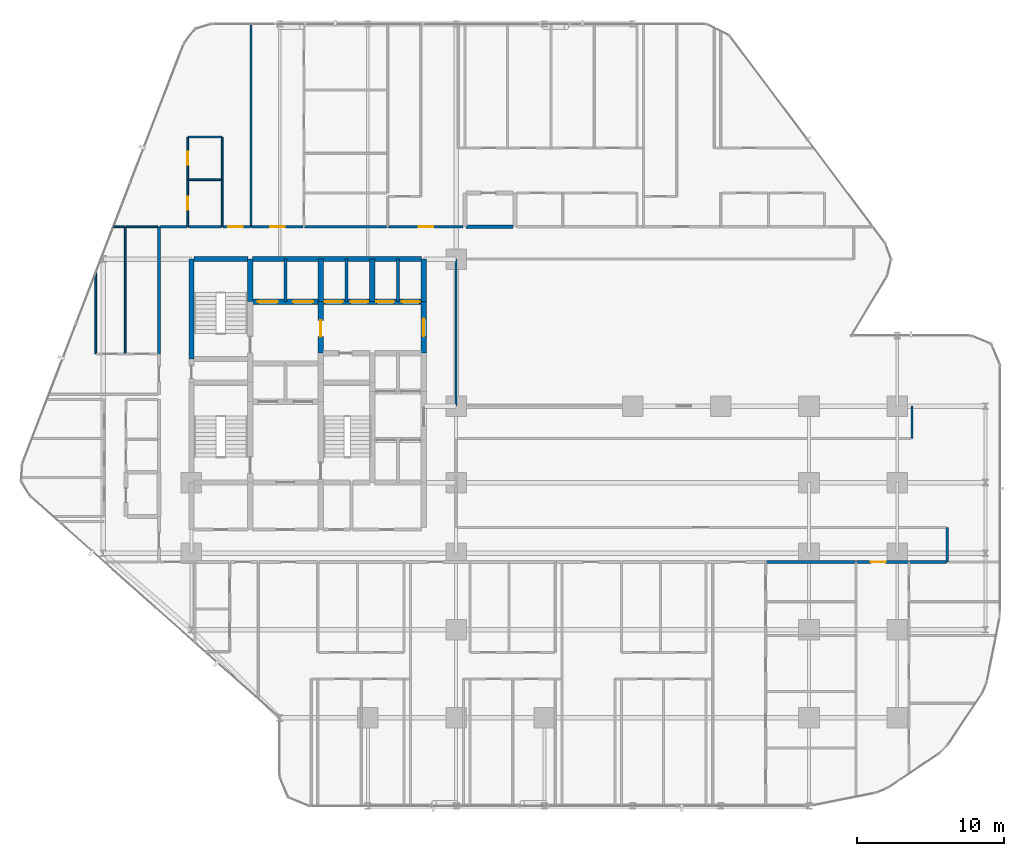
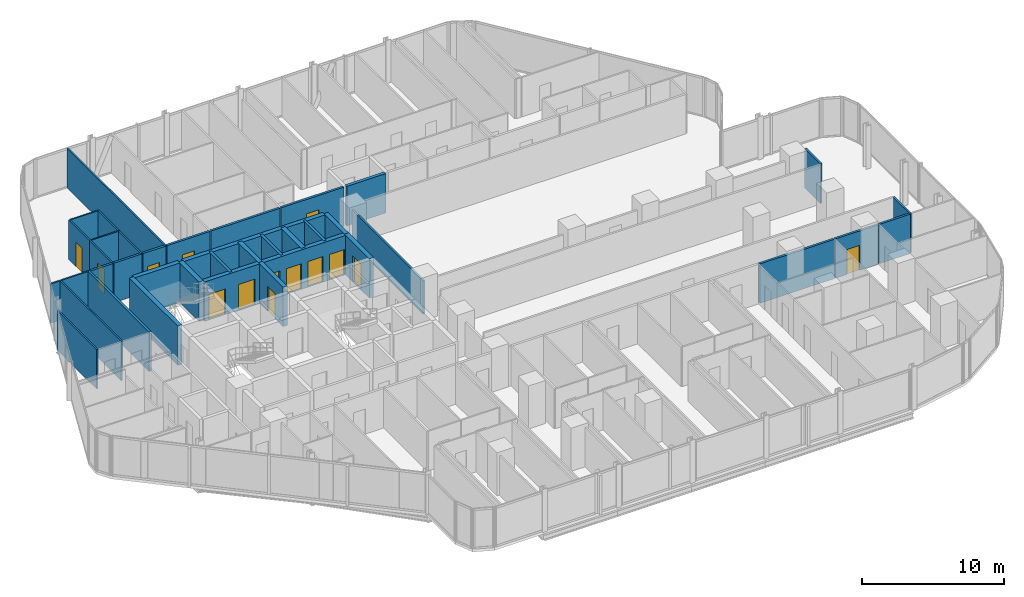
# One storey, part 30 of 34: 38 walls, 14 doors, 14 openings.
"""IFC4 building model written with IfcOpenShell, lengths in metres."""

from ifc_helpers import new_model, si_unit, direction, frame, frame_2d, origin, place, context, subcontext, project, spatial, rectangle, extrude, material, layer, layer_set, type_object, element, fill, save


model = new_model("IFC4")

# Units and contexts
model_context = context("Model", 3, precision=1e-05, world=origin(), true_north=direction((0.0, 1.0)))
body_context = subcontext(model_context, "Body", "Model", "MODEL_VIEW")
ifc_project = project(units=[si_unit("LENGTHUNIT", "METRE"), si_unit("AREAUNIT", "SQUARE_METRE"), si_unit("VOLUMEUNIT", "CUBIC_METRE"), si_unit("PLANEANGLEUNIT", "RADIAN"), si_unit("MASSUNIT", "GRAM", prefix="KILO")], contexts=[model_context])

# Site, building, storey
site_placement = place(None, origin())
site = spatial("IfcSite", under=ifc_project, at=site_placement, CompositionType="ELEMENT")
building_placement = place(site_placement, origin())
building = spatial("IfcBuilding", under=site, at=building_placement, Name="Keshet Zoharim Tower", CompositionType="ELEMENT")
storey_placement = place(building_placement, frame((0.0, 0.0, 31.39990234375)))
storey = spatial("IfcBuildingStorey", under=building, at=storey_placement, Name="L06", CompositionType="ELEMENT", Elevation=31.39990234375)

# Walls
ifc_material_1 = material(Name="Gypsum Plasterboard", Category="gypsum")
ifc_layer_1 = layer(ifc_material_1, 0.14990234375)
ifc_layer_set_1 = layer_set([ifc_layer_1], Name="Gypsum Plasterboard")
wall_type_1 = type_object("IfcWallType", Name="WL-CLIN-150", PredefinedType="STANDARD", material=ifc_layer_set_1)
wall_1_placement = place(storey_placement, frame((33.0, 27.909912109375, 0.0), z_axis=(0.0, 0.0, 1.0), x_axis=(0.0, 1.0, 0.0)))
element("IfcWall", 1, at=wall_1_placement, inside=storey, type_object=wall_type_1, Name="L06 Interior Wall 073", PredefinedType="STANDARD", context=body_context, shape_type="SweptSolid", body=[
    extrude(rectangle(XDim=9.97998046875, YDim=0.14990234375, at=frame_2d((4.989990234375, 0.0))), origin(), (0.0, 0.0, 1.0), 2.885009765625),
])
wall_2_placement = place(storey_placement, frame((64.0, 25.699951171875, 0.0), z_axis=(0.0, 0.0, 1.0), x_axis=(0.0, 1.0, 0.0)))
element("IfcWall", 2, at=wall_2_placement, inside=storey, type_object=wall_type_1, Name="L06 Interior Wall 119", PredefinedType="STANDARD", context=body_context, shape_type="SweptSolid", body=[
    extrude(rectangle(XDim=2.199951171875, YDim=0.14990234375, at=frame_2d((1.10009765625, 0.0))), origin(), (0.0, 0.0, 1.0), 3.385009765625),
])
wall_3_placement = place(storey_placement, frame((66.39990234375, 17.31005859375, 0.0), z_axis=(0.0, 0.0, 1.0), x_axis=(0.0, 1.0, 0.0)))
element("IfcWall", 3, at=wall_3_placement, inside=storey, type_object=wall_type_1, Name="L06 Interior Wall 120", PredefinedType="STANDARD", context=body_context, shape_type="SweptSolid", body=[
    extrude(rectangle(XDim=2.33984375, YDim=0.14990234375, at=frame_2d((1.169921875, 0.0))), origin(), (0.0, 0.0, 1.0), 3.385009765625),
])
ifc_material_2 = material(Name="Concrete C60/75", Category="concrete")
ifc_layer_2 = layer(ifc_material_2, 0.35009765625)
ifc_layer_set_2 = layer_set([ifc_layer_2], Name="Concrete C60/75")
wall_type_2 = type_object("IfcWallType", Name="WL-CORE-350", PredefinedType="SHEAR", material=ifc_layer_set_2)
wall_4_placement = place(storey_placement, frame((15.0, 31.10009765625, 0.0), z_axis=(0.0, 0.0, 1.0), x_axis=(0.0, 1.0, 0.0)))
element("IfcWall", 4, at=wall_4_placement, inside=storey, type_object=wall_type_2, Name="L06 Core Shear Wall 018", PredefinedType="SHEAR", context=body_context, shape_type="SweptSolid", body=[
    extrude(rectangle(XDim=6.7998046875, YDim=0.35009765625, at=frame_2d((3.39990234375, 0.0))), origin(), (0.0, 0.0, 1.0), 3.385009765625),
])
wall_5_placement = place(storey_placement, frame((19.0, 35.0, 0.0), z_axis=(0.0, 0.0, 1.0), x_axis=(0.0, 1.0, 0.0)))
element("IfcWall", 5, at=wall_5_placement, inside=storey, type_object=wall_type_2, Name="L06 Core Shear Wall 029", PredefinedType="SHEAR", context=body_context, shape_type="SweptSolid", body=[
    extrude(rectangle(XDim=2.89990234375, YDim=0.35009765625, at=frame_2d((1.449951171875, 0.0))), origin(), (0.0, 0.0, 1.0), 3.385009765625),
])

# Wall, opening, door
wall_6_placement = place(storey_placement, frame((23.800048828125, 31.5, 0.0), z_axis=(0.0, 0.0, 1.0), x_axis=(0.0, 1.0, 0.0)))
wall_6 = element("IfcWall", 6, at=wall_6_placement, inside=storey, type_object=wall_type_2, Name="L06 Core Shear Wall 045", PredefinedType="SHEAR", context=body_context, shape_type="SweptSolid", body=[
    extrude(rectangle(XDim=3.5, YDim=0.35009765625, at=frame_2d((1.75, 0.0))), origin(), (0.0, 0.0, 1.0), 3.385009765625),
])
opening_1_placement = place(wall_6_placement, frame((1.126953125, 0.0, 0.0)))
opening_1 = element("IfcOpeningElement", 7, at=opening_1_placement, cuts=wall_6, Name="Opening D-F611", PredefinedType="OPENING", context=body_context, shape_type="SweptSolid", body=[
    extrude(rectangle(XDim=1.10009765625, YDim=2.14990234375, at=frame_2d((0.550048828125, 1.074951171875))), frame((0.0, 0.18505859375, 0.0), z_axis=(0.0, -1.0, 0.0), x_axis=(1.0, 0.0, 0.0)), (0.0, 0.0, 1.0), 0.3701171875),
])
ifc_material_3 = material(Name="Hardwood Timber", Category="wood")
door_type_1 = type_object("IfcDoorType", Name="DR-FD60-110", OperationType="NOTDEFINED", PredefinedType="DOOR", material=ifc_material_3)
door_1_placement = place(opening_1_placement, origin())
door_1 = element("IfcDoor", 8, at=door_1_placement, inside=storey, type_object=door_type_1, Name="L06 Firefighting Lobby Fire Door", OperationType="SINGLE_SWING_RIGHT", OverallHeight=2.14990234375, OverallWidth=1.10009765625, PredefinedType="DOOR", context=body_context, shape_type="SweptSolid", body=[
    extrude(rectangle(XDim=1.10009765625, YDim=2.14990234375, at=frame_2d((0.550048828125, 1.074951171875))), frame((0.0, 0.02490234375, 0.0), z_axis=(0.0, -1.0, 0.0), x_axis=(1.0, 0.0, 0.0)), (0.0, 0.0, 1.0), 0.050048828125),
])
fill(opening_1, door_1)

# Walls
for number, where, z_axis, x_axis, name in (
    (9, (23.800048828125, 35.0, 0.0), (0.0, 0.0, 1.0), (0.0, 1.0, 0.0), "L06 Core Shear Wall 046"),
    (10, (27.300048828125, 35.0, 0.0), (0.0, 0.0, 1.0), (0.0, 1.0, 0.0), "L06 Core Shear Wall 055"),
):
    element("IfcWall", number, at=place(storey_placement, frame(where, z_axis=z_axis, x_axis=x_axis)), inside=storey, type_object=wall_type_2, Name=name, PredefinedType="SHEAR", context=body_context, shape_type="SweptSolid", body=[
        extrude(rectangle(XDim=2.89990234375, YDim=0.35009765625, at=frame_2d((1.449951171875, 0.0))), origin(), (0.0, 0.0, 1.0), 3.385009765625),
    ])

# Wall, opening, door
wall_7_placement = place(storey_placement, frame((30.800048828125, 31.5, 0.0), z_axis=(0.0, 0.0, 1.0), x_axis=(0.0, 1.0, 0.0)))
wall_7 = element("IfcWall", 11, at=wall_7_placement, inside=storey, type_object=wall_type_2, Name="L06 Core Shear Wall 070", PredefinedType="SHEAR", context=body_context, shape_type="SweptSolid", body=[
    extrude(rectangle(XDim=3.5, YDim=0.35009765625, at=frame_2d((1.75, 0.0))), origin(), (0.0, 0.0, 1.0), 3.385009765625),
])
opening_2_placement = place(wall_7_placement, frame((1.14990234375, 0.0, 0.0)))
opening_2 = element("IfcOpeningElement", 12, at=opening_2_placement, cuts=wall_7, Name="Opening D-F612", PredefinedType="OPENING", context=body_context, shape_type="SweptSolid", body=[
    extrude(rectangle(XDim=1.199951171875, YDim=2.199951171875, at=frame_2d((0.60009765625, 1.10009765625))), frame((0.0, 0.18505859375, 0.0), z_axis=(0.0, -1.0, 0.0), x_axis=(1.0, 0.0, 0.0)), (0.0, 0.0, 1.0), 0.3701171875),
])
door_type_2 = type_object("IfcDoorType", Name="DR-FD60-120", OperationType="NOTDEFINED", PredefinedType="DOOR", material=ifc_material_3)
door_2_placement = place(opening_2_placement, origin())
door_2 = element("IfcDoor", 13, at=door_2_placement, inside=storey, type_object=door_type_2, Name="L06 North Lift Lobby East Fire Door", OperationType="SINGLE_SWING_RIGHT", OverallHeight=2.199951171875, OverallWidth=1.199951171875, PredefinedType="DOOR", context=body_context, shape_type="SweptSolid", body=[
    extrude(rectangle(XDim=1.199951171875, YDim=2.199951171875, at=frame_2d((0.60009765625, 1.10009765625))), frame((0.0, 0.02490234375, 0.0), z_axis=(0.0, -1.0, 0.0), x_axis=(1.0, 0.0, 0.0)), (0.0, 0.0, 1.0), 0.050048828125),
])
fill(opening_2, door_2)

# Wall
wall_8_placement = place(storey_placement, frame((30.800048828125, 35.0, 0.0), z_axis=(0.0, 0.0, 1.0), x_axis=(0.0, 1.0, 0.0)))
element("IfcWall", 14, at=wall_8_placement, inside=storey, type_object=wall_type_2, Name="L06 Core Shear Wall 071", PredefinedType="SHEAR", context=body_context, shape_type="SweptSolid", body=[
    extrude(rectangle(XDim=2.89990234375, YDim=0.35009765625, at=frame_2d((1.449951171875, 0.0))), origin(), (0.0, 0.0, 1.0), 3.385009765625),
])

# Wall, openings, doors
wall_9_placement = place(storey_placement, frame((19.159912109375, 35.0, 0.0), z_axis=(0.0, 0.0, 1.0), x_axis=(1.0, 0.0, 0.0)))
wall_9 = element("IfcWall", 15, at=wall_9_placement, inside=storey, type_object=wall_type_2, Name="L06 Core Shear Wall 197", PredefinedType="SHEAR", context=body_context, shape_type="SweptSolid", body=[
    extrude(rectangle(XDim=11.47998046875, YDim=0.35009765625, at=frame_2d((5.739990234375, 0.0))), origin(), (0.0, 0.0, 1.0), 3.385009765625),
])
opening_3_placement = place(wall_9_placement, frame((0.364990234375, 0.0, 0.0)))
opening_3 = element("IfcOpeningElement", 16, at=opening_3_placement, cuts=wall_9, Name="Opening LD-02", PredefinedType="OPENING", context=body_context, shape_type="SweptSolid", body=[
    extrude(rectangle(XDim=1.35009765625, YDim=2.199951171875, at=frame_2d((0.675048828125, 1.10009765625))), frame((0.0, 0.18505859375, 0.0), z_axis=(0.0, -1.0, 0.0), x_axis=(1.0, 0.0, 0.0)), (0.0, 0.0, 1.0), 0.3701171875),
])
opening_4_placement = place(wall_9_placement, frame((2.764892578125, 0.0, 0.0)))
opening_4 = element("IfcOpeningElement", 17, at=opening_4_placement, cuts=wall_9, Name="Opening LD-02", PredefinedType="OPENING", context=body_context, shape_type="SweptSolid", body=[
    extrude(rectangle(XDim=1.35009765625, YDim=2.199951171875, at=frame_2d((0.675048828125, 1.10009765625))), frame((0.0, 0.18505859375, 0.0), z_axis=(0.0, -1.0, 0.0), x_axis=(1.0, 0.0, 0.0)), (0.0, 0.0, 1.0), 0.3701171875),
])
opening_5_placement = place(wall_9_placement, frame((4.9150390625, 0.0, 0.0)))
opening_5 = element("IfcOpeningElement", 18, at=opening_5_placement, cuts=wall_9, Name="Opening LD-03", PredefinedType="OPENING", context=body_context, shape_type="SweptSolid", body=[
    extrude(rectangle(XDim=1.199951171875, YDim=2.199951171875, at=frame_2d((0.60009765625, 1.10009765625))), frame((0.0, 0.18505859375, 0.0), z_axis=(0.0, -1.0, 0.0), x_axis=(1.0, 0.0, 0.0)), (0.0, 0.0, 1.0), 0.3701171875),
])
opening_6_placement = place(wall_9_placement, frame((6.6650390625, 0.0, 0.0)))
opening_6 = element("IfcOpeningElement", 19, at=opening_6_placement, cuts=wall_9, Name="Opening LD-03", PredefinedType="OPENING", context=body_context, shape_type="SweptSolid", body=[
    extrude(rectangle(XDim=1.199951171875, YDim=2.199951171875, at=frame_2d((0.60009765625, 1.10009765625))), frame((0.0, 0.18505859375, 0.0), z_axis=(0.0, -1.0, 0.0), x_axis=(1.0, 0.0, 0.0)), (0.0, 0.0, 1.0), 0.3701171875),
])
opening_7_placement = place(wall_9_placement, frame((8.4150390625, 0.0, 0.0)))
opening_7 = element("IfcOpeningElement", 20, at=opening_7_placement, cuts=wall_9, Name="Opening LD-03", PredefinedType="OPENING", context=body_context, shape_type="SweptSolid", body=[
    extrude(rectangle(XDim=1.199951171875, YDim=2.199951171875, at=frame_2d((0.60009765625, 1.10009765625))), frame((0.0, 0.18505859375, 0.0), z_axis=(0.0, -1.0, 0.0), x_axis=(1.0, 0.0, 0.0)), (0.0, 0.0, 1.0), 0.3701171875),
])
opening_8_placement = place(wall_9_placement, frame((10.159912109375, 0.0, 0.0)))
opening_8 = element("IfcOpeningElement", 21, at=opening_8_placement, cuts=wall_9, Name="Opening LD-03", PredefinedType="OPENING", context=body_context, shape_type="SweptSolid", body=[
    extrude(rectangle(XDim=1.199951171875, YDim=2.199951171875, at=frame_2d((0.60009765625, 1.10009765625))), frame((0.0, 0.18505859375, 0.0), z_axis=(0.0, -1.0, 0.0), x_axis=(1.0, 0.0, 0.0)), (0.0, 0.0, 1.0), 0.3701171875),
])
ifc_material_4 = material(Name="Steel S355", Category="steel")
door_type_3 = type_object("IfcDoorType", Name="DR-LD02-135", OperationType="DOUBLE_DOOR_SLIDING", PredefinedType="DOOR", material=ifc_material_4)
door_3_placement = place(opening_3_placement, origin())
door_3 = element("IfcDoor", 22, at=door_3_placement, inside=storey, type_object=door_type_3, Name="L06 Firefighting Lift Landing Door FF-01", OperationType="DOUBLE_DOOR_SLIDING", OverallHeight=2.199951171875, OverallWidth=1.35009765625, PredefinedType="DOOR", context=body_context, shape_type="SweptSolid", body=[
    extrude(rectangle(XDim=1.35009765625, YDim=2.199951171875, at=frame_2d((0.675048828125, 1.10009765625))), frame((0.0, 0.02490234375, 0.0), z_axis=(0.0, -1.0, 0.0), x_axis=(1.0, 0.0, 0.0)), (0.0, 0.0, 1.0), 0.050048828125),
])
fill(opening_3, door_3)
door_4_placement = place(opening_4_placement, origin())
door_4 = element("IfcDoor", 23, at=door_4_placement, inside=storey, type_object=door_type_3, Name="L06 Firefighting Lift Landing Door FF-02", OperationType="DOUBLE_DOOR_SLIDING", OverallHeight=2.199951171875, OverallWidth=1.35009765625, PredefinedType="DOOR", context=body_context, shape_type="SweptSolid", body=[
    extrude(rectangle(XDim=1.35009765625, YDim=2.199951171875, at=frame_2d((0.675048828125, 1.10009765625))), frame((0.0, 0.02490234375, 0.0), z_axis=(0.0, -1.0, 0.0), x_axis=(1.0, 0.0, 0.0)), (0.0, 0.0, 1.0), 0.050048828125),
])
fill(opening_4, door_4)
door_type_4 = type_object("IfcDoorType", Name="DR-LD03-120", OperationType="DOUBLE_DOOR_SLIDING", PredefinedType="DOOR", material=ifc_material_4)
door_5_placement = place(opening_5_placement, origin())
door_5 = element("IfcDoor", 24, at=door_5_placement, inside=storey, type_object=door_type_4, Name="L06 Passenger Lift Landing Door LF-01", OperationType="DOUBLE_DOOR_SLIDING", OverallHeight=2.199951171875, OverallWidth=1.199951171875, PredefinedType="DOOR", context=body_context, shape_type="SweptSolid", body=[
    extrude(rectangle(XDim=1.199951171875, YDim=2.199951171875, at=frame_2d((0.60009765625, 1.10009765625))), frame((0.0, 0.02490234375, 0.0), z_axis=(0.0, -1.0, 0.0), x_axis=(1.0, 0.0, 0.0)), (0.0, 0.0, 1.0), 0.050048828125),
])
fill(opening_5, door_5)
door_6_placement = place(opening_6_placement, origin())
door_6 = element("IfcDoor", 25, at=door_6_placement, inside=storey, type_object=door_type_4, Name="L06 Passenger Lift Landing Door LF-02", OperationType="DOUBLE_DOOR_SLIDING", OverallHeight=2.199951171875, OverallWidth=1.199951171875, PredefinedType="DOOR", context=body_context, shape_type="SweptSolid", body=[
    extrude(rectangle(XDim=1.199951171875, YDim=2.199951171875, at=frame_2d((0.60009765625, 1.10009765625))), frame((0.0, 0.02490234375, 0.0), z_axis=(0.0, -1.0, 0.0), x_axis=(1.0, 0.0, 0.0)), (0.0, 0.0, 1.0), 0.050048828125),
])
fill(opening_6, door_6)
door_7_placement = place(opening_7_placement, origin())
door_7 = element("IfcDoor", 26, at=door_7_placement, inside=storey, type_object=door_type_4, Name="L06 Passenger Lift Landing Door LF-03", OperationType="DOUBLE_DOOR_SLIDING", OverallHeight=2.199951171875, OverallWidth=1.199951171875, PredefinedType="DOOR", context=body_context, shape_type="SweptSolid", body=[
    extrude(rectangle(XDim=1.199951171875, YDim=2.199951171875, at=frame_2d((0.60009765625, 1.10009765625))), frame((0.0, 0.02490234375, 0.0), z_axis=(0.0, -1.0, 0.0), x_axis=(1.0, 0.0, 0.0)), (0.0, 0.0, 1.0), 0.050048828125),
])
fill(opening_7, door_7)
door_8_placement = place(opening_8_placement, origin())
door_8 = element("IfcDoor", 27, at=door_8_placement, inside=storey, type_object=door_type_4, Name="L06 Passenger Lift Landing Door LF-04", OperationType="DOUBLE_DOOR_SLIDING", OverallHeight=2.199951171875, OverallWidth=1.199951171875, PredefinedType="DOOR", context=body_context, shape_type="SweptSolid", body=[
    extrude(rectangle(XDim=1.199951171875, YDim=2.199951171875, at=frame_2d((0.60009765625, 1.10009765625))), frame((0.0, 0.02490234375, 0.0), z_axis=(0.0, -1.0, 0.0), x_axis=(1.0, 0.0, 0.0)), (0.0, 0.0, 1.0), 0.050048828125),
])
fill(opening_8, door_8)

# Walls
wall_10_placement = place(storey_placement, frame((15.159912109375, 37.89990234375, 0.0), z_axis=(0.0, 0.0, 1.0), x_axis=(1.0, 0.0, 0.0)))
element("IfcWall", 28, at=wall_10_placement, inside=storey, type_object=wall_type_2, Name="L06 Core Shear Wall 198", PredefinedType="SHEAR", context=body_context, shape_type="SweptSolid", body=[
    extrude(rectangle(XDim=3.68017578125, YDim=0.35009765625, at=frame_2d((1.840087890625, 0.0))), origin(), (0.0, 0.0, 1.0), 3.385009765625),
])
wall_11_placement = place(storey_placement, frame((19.159912109375, 37.89990234375, 0.0), z_axis=(0.0, 0.0, 1.0), x_axis=(1.0, 0.0, 0.0)))
element("IfcWall", 29, at=wall_11_placement, inside=storey, type_object=wall_type_2, Name="L06 Core Shear Wall 199", PredefinedType="SHEAR", context=body_context, shape_type="SweptSolid", body=[
    extrude(rectangle(XDim=11.47998046875, YDim=0.35009765625, at=frame_2d((5.739990234375, 0.0))), origin(), (0.0, 0.0, 1.0), 3.385009765625),
])
ifc_layer_3 = layer(ifc_material_1, 0.179931640625)
ifc_layer_set_3 = layer_set([ifc_layer_3], Name="Gypsum Plasterboard")
wall_type_3 = type_object("IfcWallType", Name="WL-CORR-180", PredefinedType="STANDARD", material=ifc_layer_set_3)
wall_12_placement = place(storey_placement, frame((12.800048828125, 31.449951171875, 0.0), z_axis=(0.0, 0.0, 1.0), x_axis=(0.0, 1.0, 0.0)))
element("IfcWall", 30, at=wall_12_placement, inside=storey, type_object=wall_type_3, Name="L06 Interior Wall 012", PredefinedType="STANDARD", context=body_context, shape_type="SweptSolid", body=[
    extrude(rectangle(XDim=8.650146484375, YDim=0.179931640625, at=frame_2d((4.3251953125, 0.0))), origin(), (0.0, 0.0, 1.0), 3.385009765625),
])
wall_13_placement = place(storey_placement, frame((54.114990234375, 17.300048828125, 0.0), z_axis=(0.0, 0.0, 1.0), x_axis=(1.0, 0.0, 0.0)))
element("IfcWall", 31, at=wall_13_placement, inside=storey, type_object=wall_type_3, Name="L06 Interior Wall 159", PredefinedType="STANDARD", context=body_context, shape_type="SweptSolid", body=[
    extrude(rectangle(XDim=6.0400390625, YDim=0.179931640625, at=frame_2d((3.02001953125, 0.0))), origin(), (0.0, 0.0, 1.0), 3.385009765625),
])

# Wall, opening, door
wall_14_placement = place(storey_placement, frame((60.2451171875, 17.300048828125, 0.0), z_axis=(0.0, 0.0, 1.0), x_axis=(1.0, 0.0, 0.0)))
wall_14 = element("IfcWall", 32, at=wall_14_placement, inside=storey, type_object=wall_type_3, Name="L06 Interior Wall 160", PredefinedType="STANDARD", context=body_context, shape_type="SweptSolid", body=[
    extrude(rectangle(XDim=3.509765625, YDim=0.179931640625, at=frame_2d((1.7548828125, 0.0))), origin(), (0.0, 0.0, 1.0), 3.385009765625),
])
opening_9_placement = place(wall_14_placement, frame((0.9580078125, 0.0, 0.0)))
opening_9 = element("IfcOpeningElement", 33, at=opening_9_placement, cuts=wall_14, Name="Opening D-F310", PredefinedType="OPENING", context=body_context, shape_type="SweptSolid", body=[
    extrude(rectangle(XDim=1.0, YDim=2.14990234375, at=frame_2d((0.5, 1.074951171875))), frame((0.0, 0.10009765625, 0.0), z_axis=(0.0, -1.0, 0.0), x_axis=(1.0, 0.0, 0.0)), (0.0, 0.0, 1.0), 0.199951171875),
])
door_type_5 = type_object("IfcDoorType", Name="DR-FD30-100", OperationType="NOTDEFINED", PredefinedType="DOOR", material=ifc_material_3)
door_9_placement = place(opening_9_placement, origin())
door_9 = element("IfcDoor", 34, at=door_9_placement, inside=storey, type_object=door_type_5, Name="Apartment 0606 Entrance Door", OperationType="SINGLE_SWING_RIGHT", OverallHeight=2.14990234375, OverallWidth=1.0, PredefinedType="DOOR", context=body_context, shape_type="SweptSolid", body=[
    extrude(rectangle(XDim=1.0, YDim=2.14990234375, at=frame_2d((0.5, 1.074951171875))), frame((0.0, 0.02490234375, 0.0), z_axis=(0.0, -1.0, 0.0), x_axis=(1.0, 0.0, 0.0)), (0.0, 0.0, 1.0), 0.050048828125),
])
fill(opening_9, door_9)

# Walls
wall_15_placement = place(storey_placement, frame((63.844970703125, 17.300048828125, 0.0), z_axis=(0.0, 0.0, 1.0), x_axis=(1.0, 0.0, 0.0)))
element("IfcWall", 35, at=wall_15_placement, inside=storey, type_object=wall_type_3, Name="L06 Interior Wall 161", PredefinedType="STANDARD", context=body_context, shape_type="SweptSolid", body=[
    extrude(rectangle(XDim=2.4951171875, YDim=0.179931640625, at=frame_2d((1.24755859375, 0.0))), origin(), (0.0, 0.0, 1.0), 3.385009765625),
])
wall_16_placement = place(storey_placement, frame((12.875, 40.10009765625, 0.0), z_axis=(0.0, 0.0, 1.0), x_axis=(1.0, 0.0, 0.0)))
element("IfcWall", 36, at=wall_16_placement, inside=storey, type_object=wall_type_3, Name="L06 Interior Wall 203", PredefinedType="STANDARD", context=body_context, shape_type="SweptSolid", body=[
    extrude(rectangle(XDim=1.830078125, YDim=0.179931640625, at=frame_2d((0.9150390625, 0.0))), origin(), (0.0, 0.0, 1.0), 3.385009765625),
])
wall_17_placement = place(storey_placement, frame((14.794921875, 40.10009765625, 0.0), z_axis=(0.0, 0.0, 1.0), x_axis=(1.0, 0.0, 0.0)))
element("IfcWall", 37, at=wall_17_placement, inside=storey, type_object=wall_type_3, Name="L06 Interior Wall 204", PredefinedType="STANDARD", context=body_context, shape_type="SweptSolid", body=[
    extrude(rectangle(XDim=2.260009765625, YDim=0.179931640625, at=frame_2d((1.1298828125, 0.0))), origin(), (0.0, 0.0, 1.0), 3.385009765625),
])

# Wall, opening, door
wall_18_placement = place(storey_placement, frame((17.14501953125, 40.10009765625, 0.0), z_axis=(0.0, 0.0, 1.0), x_axis=(1.0, 0.0, 0.0)))
wall_18 = element("IfcWall", 38, at=wall_18_placement, inside=storey, type_object=wall_type_3, Name="L06 Interior Wall 205", PredefinedType="STANDARD", context=body_context, shape_type="SweptSolid", body=[
    extrude(rectangle(XDim=1.85986328125, YDim=0.179931640625, at=frame_2d((0.929931640625, 0.0))), origin(), (0.0, 0.0, 1.0), 3.385009765625),
])
opening_10_placement = place(wall_18_placement, frame((0.35693359375, 0.0, 0.0)))
opening_10 = element("IfcOpeningElement", 39, at=opening_10_placement, cuts=wall_18, Name="Opening D-F310", PredefinedType="OPENING", context=body_context, shape_type="SweptSolid", body=[
    extrude(rectangle(XDim=1.0, YDim=2.14990234375, at=frame_2d((0.5, 1.074951171875))), frame((0.0, 0.10009765625, 0.0), z_axis=(0.0, -1.0, 0.0), x_axis=(1.0, 0.0, 0.0)), (0.0, 0.0, 1.0), 0.199951171875),
])
door_10_placement = place(opening_10_placement, origin())
door_10 = element("IfcDoor", 40, at=door_10_placement, inside=storey, type_object=door_type_5, Name="Apartment 0607 Entrance Door", OperationType="SINGLE_SWING_LEFT", OverallHeight=2.14990234375, OverallWidth=1.0, PredefinedType="DOOR", context=body_context, shape_type="SweptSolid", body=[
    extrude(rectangle(XDim=1.0, YDim=2.14990234375, at=frame_2d((0.5, 1.074951171875))), frame((0.0, 0.02490234375, 0.0), z_axis=(0.0, -1.0, 0.0), x_axis=(1.0, 0.0, 0.0)), (0.0, 0.0, 1.0), 0.050048828125),
])
fill(opening_10, door_10)

wall_19_placement = place(storey_placement, frame((19.094970703125, 40.10009765625, 0.0), z_axis=(0.0, 0.0, 1.0), x_axis=(1.0, 0.0, 0.0)))
wall_19 = element("IfcWall", 41, at=wall_19_placement, inside=storey, type_object=wall_type_3, Name="L06 Interior Wall 206", PredefinedType="STANDARD", context=body_context, shape_type="SweptSolid", body=[
    extrude(rectangle(XDim=3.510009765625, YDim=0.179931640625, at=frame_2d((1.7548828125, 0.0))), origin(), (0.0, 0.0, 1.0), 3.385009765625),
])
opening_11_placement = place(wall_19_placement, frame((1.2548828125, 0.0, 0.0)))
opening_11 = element("IfcOpeningElement", 42, at=opening_11_placement, cuts=wall_19, Name="Opening D-F310", PredefinedType="OPENING", context=body_context, shape_type="SweptSolid", body=[
    extrude(rectangle(XDim=1.0, YDim=2.14990234375, at=frame_2d((0.5, 1.074951171875))), frame((0.0, 0.10009765625, 0.0), z_axis=(0.0, -1.0, 0.0), x_axis=(1.0, 0.0, 0.0)), (0.0, 0.0, 1.0), 0.199951171875),
])
door_11_placement = place(opening_11_placement, origin())
door_11 = element("IfcDoor", 43, at=door_11_placement, inside=storey, type_object=door_type_5, Name="Apartment 0608 Entrance Door", OperationType="SINGLE_SWING_RIGHT", OverallHeight=2.14990234375, OverallWidth=1.0, PredefinedType="DOOR", context=body_context, shape_type="SweptSolid", body=[
    extrude(rectangle(XDim=1.0, YDim=2.14990234375, at=frame_2d((0.5, 1.074951171875))), frame((0.0, 0.02490234375, 0.0), z_axis=(0.0, -1.0, 0.0), x_axis=(1.0, 0.0, 0.0)), (0.0, 0.0, 1.0), 0.050048828125),
])
fill(opening_11, door_11)

# Wall
wall_20_placement = place(storey_placement, frame((22.695068359375, 40.10009765625, 0.0), z_axis=(0.0, 0.0, 1.0), x_axis=(1.0, 0.0, 0.0)))
element("IfcWall", 44, at=wall_20_placement, inside=storey, type_object=wall_type_3, Name="L06 Interior Wall 207", PredefinedType="STANDARD", context=body_context, shape_type="SweptSolid", body=[
    extrude(rectangle(XDim=5.58984375, YDim=0.179931640625, at=frame_2d((2.794921875, 0.0))), origin(), (0.0, 0.0, 1.0), 3.385009765625),
])

# Wall, opening, door
wall_21_placement = place(storey_placement, frame((28.375, 40.10009765625, 0.0), z_axis=(0.0, 0.0, 1.0), x_axis=(1.0, 0.0, 0.0)))
wall_21 = element("IfcWall", 45, at=wall_21_placement, inside=storey, type_object=wall_type_3, Name="L06 Interior Wall 208", PredefinedType="STANDARD", context=body_context, shape_type="SweptSolid", body=[
    extrude(rectangle(XDim=5.094970703125, YDim=0.179931640625, at=frame_2d((2.54736328125, 0.0))), origin(), (0.0, 0.0, 1.0), 3.385009765625),
])
opening_12_placement = place(wall_21_placement, frame((2.080078125, 0.0, 0.0)))
opening_12 = element("IfcOpeningElement", 46, at=opening_12_placement, cuts=wall_21, Name="Opening D-F310", PredefinedType="OPENING", context=body_context, shape_type="SweptSolid", body=[
    extrude(rectangle(XDim=1.0, YDim=2.14990234375, at=frame_2d((0.5, 1.074951171875))), frame((0.0, 0.10009765625, 0.0), z_axis=(0.0, -1.0, 0.0), x_axis=(1.0, 0.0, 0.0)), (0.0, 0.0, 1.0), 0.199951171875),
])
door_12_placement = place(opening_12_placement, origin())
door_12 = element("IfcDoor", 47, at=door_12_placement, inside=storey, type_object=door_type_5, Name="Apartment 0609 Entrance Door", OperationType="SINGLE_SWING_LEFT", OverallHeight=2.14990234375, OverallWidth=1.0, PredefinedType="DOOR", context=body_context, shape_type="SweptSolid", body=[
    extrude(rectangle(XDim=1.0, YDim=2.14990234375, at=frame_2d((0.5, 1.074951171875))), frame((0.0, 0.02490234375, 0.0), z_axis=(0.0, -1.0, 0.0), x_axis=(1.0, 0.0, 0.0)), (0.0, 0.0, 1.0), 0.050048828125),
])
fill(opening_12, door_12)

# Walls
ifc_material_5 = material(Name="Concrete C50/60", Category="concrete")
ifc_layer_4 = layer(ifc_material_5, 0.199951171875)
ifc_layer_set_4 = layer_set([ifc_layer_4], Name="Concrete C50/60")
wall_type_4 = type_object("IfcWallType", Name="WL-FIRE-200", PredefinedType="STANDARD", material=ifc_layer_set_4)
for number, where, z_axis, x_axis, name in (
    (48, (21.39990234375, 35.0, 0.0), (0.0, 0.0, 1.0), (0.0, 1.0, 0.0), "L06 Interior Wall 033"),
    (49, (25.550048828125, 35.0, 0.0), (0.0, 0.0, 1.0), (0.0, 1.0, 0.0), "L06 Interior Wall 047"),
    (50, (29.050048828125, 35.0, 0.0), (0.0, 0.0, 1.0), (0.0, 1.0, 0.0), "L06 Interior Wall 061"),
):
    element("IfcWall", number, at=place(storey_placement, frame(where, z_axis=z_axis, x_axis=x_axis)), inside=storey, type_object=wall_type_4, Name=name, PredefinedType="STANDARD", context=body_context, shape_type="SweptSolid", body=[
        extrude(rectangle(XDim=2.89990234375, YDim=0.199951171875, at=frame_2d((1.449951171875, 0.0))), origin(), (0.0, 0.0, 1.0), 3.385009765625),
    ])
ifc_layer_5 = layer(ifc_material_5, 0.25)
ifc_layer_set_5 = layer_set([ifc_layer_5], Name="Concrete C50/60")
wall_type_5 = type_object("IfcWallType", Name="WL-MAMAD-250", PredefinedType="STANDARD", material=ifc_layer_set_5)
wall_22_placement = place(storey_placement, frame((33.68994140625, 40.10009765625, 0.0), z_axis=(0.0, 0.0, 1.0), x_axis=(1.0, 0.0, 0.0)))
element("IfcWall", 51, at=wall_22_placement, inside=storey, type_object=wall_type_5, Name="L06 Interior Wall 209", PredefinedType="STANDARD", context=body_context, shape_type="SweptSolid", body=[
    extrude(rectangle(XDim=3.18212890625, YDim=0.25, at=frame_2d((1.591064453125, 0.0))), origin(), (0.0, 0.0, 1.0), 3.385009765625),
])
ifc_layer_6 = layer(ifc_material_1, 0.1201171875)
ifc_layer_set_6 = layer_set([ifc_layer_6], Name="Gypsum Plasterboard")
wall_type_6 = type_object("IfcWallType", Name="WL-PART-120", PredefinedType="PARTITIONING", material=ifc_layer_set_6)
wall_23_placement = place(storey_placement, frame((8.5, 31.449951171875, 0.0), z_axis=(0.0, 0.0, 1.0), x_axis=(0.0, 1.0, 0.0)))
element("IfcWall", 52, at=wall_23_placement, inside=storey, type_object=wall_type_6, Name="L06 Interior Wall 001", PredefinedType="PARTITIONING", context=body_context, shape_type="SweptSolid", body=[
    extrude(rectangle(XDim=5.5400390625, YDim=0.1201171875, at=frame_2d((2.77001953125, 0.0))), origin(), (0.0, 0.0, 1.0), 3.385009765625),
])

# Wall, opening, door
wall_24_placement = place(storey_placement, frame((14.75, 40.10009765625, 0.0), z_axis=(0.0, 0.0, 1.0), x_axis=(0.0, 1.0, 0.0)))
wall_24 = element("IfcWall", 53, at=wall_24_placement, inside=storey, type_object=wall_type_6, Name="L06 Interior Wall 013", PredefinedType="PARTITIONING", context=body_context, shape_type="SweptSolid", body=[
    extrude(rectangle(XDim=3.199951171875, YDim=0.1201171875, at=frame_2d((1.60009765625, 0.0))), origin(), (0.0, 0.0, 1.0), 3.385009765625),
])
opening_13_placement = place(wall_24_placement, frame((1.14990234375, 0.0, 0.0)))
opening_13 = element("IfcOpeningElement", 54, at=opening_13_placement, cuts=wall_24, Name="Opening D-IN90", PredefinedType="OPENING", context=body_context, shape_type="SweptSolid", body=[
    extrude(rectangle(XDim=0.89990234375, YDim=2.14990234375, at=frame_2d((0.449951171875, 1.074951171875))), frame((0.0, 0.070068359375, 0.0), z_axis=(0.0, -1.0, 0.0), x_axis=(1.0, 0.0, 0.0)), (0.0, 0.0, 1.0), 0.14013671875),
])
door_type_6 = type_object("IfcDoorType", Name="DR-INT-090", OperationType="NOTDEFINED", PredefinedType="DOOR", material=ifc_material_3)
door_13_placement = place(opening_13_placement, origin())
door_13 = element("IfcDoor", 55, at=door_13_placement, inside=storey, type_object=door_type_6, Name="Apartment 0607 Kitchenette Door", OperationType="SINGLE_SWING_RIGHT", OverallHeight=2.14990234375, OverallWidth=0.89990234375, PredefinedType="DOOR", context=body_context, shape_type="SweptSolid", body=[
    extrude(rectangle(XDim=0.89990234375, YDim=2.14990234375, at=frame_2d((0.449951171875, 1.074951171875))), frame((0.0, 0.02490234375, 0.0), z_axis=(0.0, -1.0, 0.0), x_axis=(1.0, 0.0, 0.0)), (0.0, 0.0, 1.0), 0.050048828125),
])
fill(opening_13, door_13)

# Walls
wall_25_placement = place(storey_placement, frame((17.10009765625, 40.10009765625, 0.0), z_axis=(0.0, 0.0, 1.0), x_axis=(0.0, 1.0, 0.0)))
element("IfcWall", 56, at=wall_25_placement, inside=storey, type_object=wall_type_6, Name="L06 Interior Wall 021", PredefinedType="PARTITIONING", context=body_context, shape_type="SweptSolid", body=[
    extrude(rectangle(XDim=3.199951171875, YDim=0.1201171875, at=frame_2d((1.60009765625, 0.0))), origin(), (0.0, 0.0, 1.0), 3.385009765625),
])
wall_26_placement = place(storey_placement, frame((19.050048828125, 40.10009765625, 0.0), z_axis=(0.0, 0.0, 1.0), x_axis=(0.0, 1.0, 0.0)))
element("IfcWall", 57, at=wall_26_placement, inside=storey, type_object=wall_type_6, Name="L06 Interior Wall 030", PredefinedType="PARTITIONING", context=body_context, shape_type="SweptSolid", body=[
    extrude(rectangle(XDim=13.789794921875, YDim=0.1201171875, at=frame_2d((6.89501953125, 0.0))), origin(), (0.0, 0.0, 1.0), 3.385009765625),
])
wall_27_placement = place(storey_placement, frame((9.701904296875, 40.10009765625, 0.0), z_axis=(0.0, 0.0, 1.0), x_axis=(1.0, 0.0, 0.0)))
element("IfcWall", 58, at=wall_27_placement, inside=storey, type_object=wall_type_6, Name="L06 Interior Wall 201", PredefinedType="PARTITIONING", context=body_context, shape_type="SweptSolid", body=[
    extrude(rectangle(XDim=0.731201171875, YDim=0.1201171875, at=frame_2d((0.36572265625, 0.0))), origin(), (0.0, 0.0, 1.0), 3.385009765625),
])
ifc_layer_7 = layer(ifc_material_1, 0.1201171875)
ifc_layer_set_7 = layer_set([ifc_layer_7], Name="Gypsum Plasterboard")
wall_type_7 = type_object("IfcWallType", Name="WL-WET-120", PredefinedType="PARTITIONING", material=ifc_layer_set_7)
wall_28_placement = place(storey_placement, frame((10.5, 31.449951171875, 0.0), z_axis=(0.0, 0.0, 1.0), x_axis=(0.0, 1.0, 0.0)))
element("IfcWall", 59, at=wall_28_placement, inside=storey, type_object=wall_type_7, Name="L06 Interior Wall 003", PredefinedType="PARTITIONING", context=body_context, shape_type="SweptSolid", body=[
    extrude(rectangle(XDim=8.650146484375, YDim=0.1201171875, at=frame_2d((4.3251953125, 0.0))), origin(), (0.0, 0.0, 1.0), 3.385009765625),
])

# Wall, opening, door
wall_29_placement = place(storey_placement, frame((14.75, 43.300048828125, 0.0), z_axis=(0.0, 0.0, 1.0), x_axis=(0.0, 1.0, 0.0)))
wall_29 = element("IfcWall", 60, at=wall_29_placement, inside=storey, type_object=wall_type_7, Name="L06 Interior Wall 014", PredefinedType="PARTITIONING", context=body_context, shape_type="SweptSolid", body=[
    extrude(rectangle(XDim=2.89990234375, YDim=0.1201171875, at=frame_2d((1.449951171875, 0.0))), origin(), (0.0, 0.0, 1.0), 3.385009765625),
])
opening_14_placement = place(wall_29_placement, frame((1.0, 0.0, 0.0)))
opening_14 = element("IfcOpeningElement", 61, at=opening_14_placement, cuts=wall_29, Name="Opening D-WT90", PredefinedType="OPENING", context=body_context, shape_type="SweptSolid", body=[
    extrude(rectangle(XDim=0.89990234375, YDim=2.10009765625, at=frame_2d((0.449951171875, 1.050048828125))), frame((0.0, 0.070068359375, 0.0), z_axis=(0.0, -1.0, 0.0), x_axis=(1.0, 0.0, 0.0)), (0.0, 0.0, 1.0), 0.14013671875),
])
door_type_7 = type_object("IfcDoorType", Name="DR-WET-090", OperationType="NOTDEFINED", PredefinedType="DOOR", material=ifc_material_3)
door_14_placement = place(opening_14_placement, origin())
door_14 = element("IfcDoor", 62, at=door_14_placement, inside=storey, type_object=door_type_7, Name="Apartment 0607 Bathroom Door", OperationType="SINGLE_SWING_LEFT", OverallHeight=2.10009765625, OverallWidth=0.89990234375, PredefinedType="DOOR", context=body_context, shape_type="SweptSolid", body=[
    extrude(rectangle(XDim=0.89990234375, YDim=2.10009765625, at=frame_2d((0.449951171875, 1.050048828125))), frame((0.0, 0.02490234375, 0.0), z_axis=(0.0, -1.0, 0.0), x_axis=(1.0, 0.0, 0.0)), (0.0, 0.0, 1.0), 0.050048828125),
])
fill(opening_14, door_14)

# Walls
wall_30_placement = place(storey_placement, frame((17.10009765625, 43.300048828125, 0.0), z_axis=(0.0, 0.0, 1.0), x_axis=(0.0, 1.0, 0.0)))
element("IfcWall", 63, at=wall_30_placement, inside=storey, type_object=wall_type_7, Name="L06 Interior Wall 022", PredefinedType="PARTITIONING", context=body_context, shape_type="SweptSolid", body=[
    extrude(rectangle(XDim=2.89990234375, YDim=0.1201171875, at=frame_2d((1.449951171875, 0.0))), origin(), (0.0, 0.0, 1.0), 3.385009765625),
])
wall_31_placement = place(storey_placement, frame((10.52294921875, 40.10009765625, 0.0), z_axis=(0.0, 0.0, 1.0), x_axis=(1.0, 0.0, 0.0)))
element("IfcWall", 64, at=wall_31_placement, inside=storey, type_object=wall_type_7, Name="L06 Interior Wall 202", PredefinedType="PARTITIONING", context=body_context, shape_type="SweptSolid", body=[
    extrude(rectangle(XDim=2.2021484375, YDim=0.1201171875, at=frame_2d((1.10107421875, 0.0))), origin(), (0.0, 0.0, 1.0), 3.385009765625),
])
for number, where, z_axis, x_axis, name in (
    (65, (14.794921875, 43.300048828125, 0.0), (0.0, 0.0, 1.0), (1.0, 0.0, 0.0), "L06 Interior Wall 226"),
    (66, (14.794921875, 46.199951171875, 0.0), (0.0, 0.0, 1.0), (1.0, 0.0, 0.0), "L06 Interior Wall 233"),
):
    element("IfcWall", number, at=place(storey_placement, frame(where, z_axis=z_axis, x_axis=x_axis)), inside=storey, type_object=wall_type_7, Name=name, PredefinedType="PARTITIONING", context=body_context, shape_type="SweptSolid", body=[
        extrude(rectangle(XDim=2.260009765625, YDim=0.1201171875, at=frame_2d((1.1298828125, 0.0))), origin(), (0.0, 0.0, 1.0), 3.385009765625),
    ])

save(model, "model.ifc")
